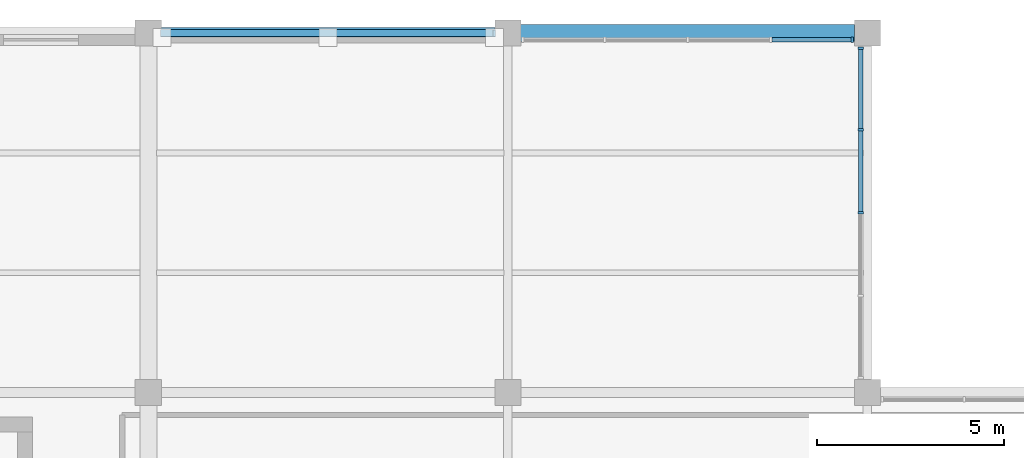
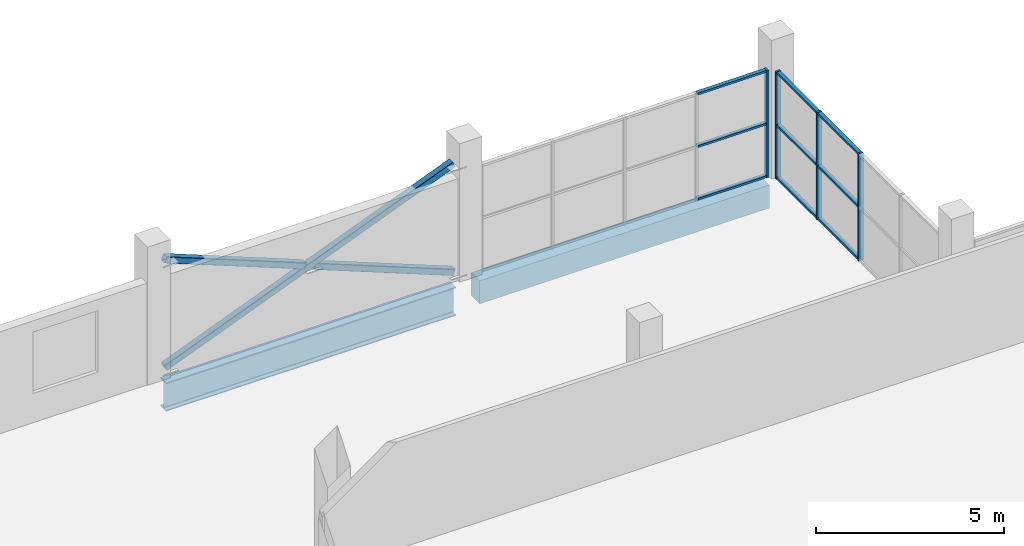
# One storey, part 35 of 75: 16 members, 2 beams, 2 elements without a shape of their own.
"""IFC4 building model written with IfcOpenShell, lengths in metres."""

from ifc_helpers import new_model, si_unit, direction, frame, origin, origin_2d, place, context, subcontext, project, spatial, rectangle, hollow_rectangle, i_section, extrude, material, layer, layer_set, material_profile, profile_set, type_object, element, aggregate, save


model = new_model("IFC4")

# Units and contexts
model_context = context("Model", 3, precision=1e-05, world=origin(), true_north=direction((0.0, 1.0)))
body_context = subcontext(model_context, "Body", "Model", "MODEL_VIEW")
ifc_project = project(units=[si_unit("LENGTHUNIT", "METRE"), si_unit("AREAUNIT", "SQUARE_METRE"), si_unit("VOLUMEUNIT", "CUBIC_METRE"), si_unit("PLANEANGLEUNIT", "RADIAN"), si_unit("MASSUNIT", "GRAM", prefix="KILO")], contexts=[model_context])

# Site, building, storey
site_placement = place(None, origin())
site = spatial("IfcSite", under=ifc_project, at=site_placement, CompositionType="ELEMENT")
building_placement = place(site_placement, origin())
building = spatial("IfcBuilding", under=site, at=building_placement, Name="Caelomonte Colonnade Arena", CompositionType="ELEMENT")
storey_placement = place(building_placement, frame((0.0, 0.0, 14.10009765625)))
storey = spatial("IfcBuildingStorey", under=building, at=storey_placement, Name="L03", CompositionType="ELEMENT", Elevation=14.10009765625)

# Curtain wall, members
ifc_material_1 = material(Name="Bronze anodised aluminium and low-E glazing", Category="aluminium")
ifc_layer = layer(ifc_material_1, 0.179931640625)
ifc_layer_set = layer_set([ifc_layer], Name="Bronze anodised aluminium and low-E glazing")
curtain_wall_type = type_object("IfcCurtainWallType", Name="ENV-CW-CW-L03-96-35", PredefinedType="USERDEFINED", material=ifc_layer_set)
curtain_wall_1_placement = place(storey_placement, origin())
curtain_wall_1 = element("IfcCurtainWall", 1, at=curtain_wall_1_placement, inside=storey, type_object=curtain_wall_type, Name="L03 unitized curtain wall CW-L03-1822-1392", ObjectType="UNITIZED CURTAIN WALL", PredefinedType="USERDEFINED")
ifc_material_2 = material(Name="Bronze anodised aluminium AA6063-T6", Category="aluminium")
ifc_material_profile_1 = material_profile(ifc_material_2, rectangle(XDim=0.06494140625, YDim=0.14990234375, at=origin_2d()), Name="CWM-65X150")
ifc_profile_set_1 = profile_set([ifc_material_profile_1], Name="Bronze anodised aluminium AA6063-T6")
member_type_1 = type_object("IfcMemberType", Name="ENV-CW-MULL2", PredefinedType="MULLION", material=ifc_profile_set_1)
member_1_placement = place(storey_placement, frame((182.219970703125, 139.199951171875, 0.0), z_axis=(0.0, 0.0, 1.0), x_axis=(0.0, 1.0, 0.0)))
member_1 = element("IfcMember", 2, at=member_1_placement, type_object=member_type_1, Name="CW-L03-96-35 mullion 3", PredefinedType="MULLION", context=body_context, shape_type="SweptSolid", body=[
    extrude(rectangle(XDim=0.06494140625, YDim=0.14990234375, at=origin_2d()), origin(), (0.0, 0.0, 1.0), 3.489990234375),
])
member_2_placement = place(storey_placement, frame((182.219970703125, 141.4150390625, 0.0), z_axis=(0.0, 0.0, 1.0), x_axis=(0.0, 1.0, 0.0)))
member_2 = element("IfcMember", 3, at=member_2_placement, type_object=member_type_1, Name="CW-L03-96-35 mullion 4", PredefinedType="MULLION", context=body_context, shape_type="SweptSolid", body=[
    extrude(rectangle(XDim=0.06494140625, YDim=0.14990234375, at=origin_2d()), origin(), (0.0, 0.0, 1.0), 3.489990234375),
])
member_3_placement = place(storey_placement, frame((182.219970703125, 143.597412109375, 0.0), z_axis=(0.0, 0.0, 1.0), x_axis=(0.0, 1.0, 0.0)))
member_3 = element("IfcMember", 4, at=member_3_placement, type_object=member_type_1, Name="CW-L03-96-35 mullion 5", PredefinedType="MULLION", context=body_context, shape_type="SweptSolid", body=[
    extrude(rectangle(XDim=0.06494140625, YDim=0.14990234375, at=origin_2d()), origin(), (0.0, 0.0, 1.0), 3.489990234375),
])

# Curtain wall, member
curtain_wall_2_placement = place(storey_placement, origin())
curtain_wall_2 = element("IfcCurtainWall", 5, at=curtain_wall_2_placement, inside=storey, type_object=curtain_wall_type, Name="L03 unitized curtain wall CW-L03-1776-1438", ObjectType="UNITIZED CURTAIN WALL", PredefinedType="USERDEFINED")
member_4_placement = place(storey_placement, frame((181.99755859375, 143.820068359375, 0.0), z_axis=(0.0, 0.0, 1.0), x_axis=(-1.0, 0.0, 0.0)))
member_4 = element("IfcMember", 6, at=member_4_placement, type_object=member_type_1, Name="CW-L03-96-35 mullion 1", PredefinedType="MULLION", context=body_context, shape_type="SweptSolid", body=[
    extrude(rectangle(XDim=0.06494140625, YDim=0.14990234375, at=origin_2d()), origin(), (0.0, 0.0, 1.0), 3.489990234375),
])

# Member
ifc_material_profile_2 = material_profile(ifc_material_2, rectangle(XDim=0.06494140625, YDim=0.1201171875, at=origin_2d()), Name="CWT-65X120")
ifc_profile_set_2 = profile_set([ifc_material_profile_2], Name="Bronze anodised aluminium AA6063-T6")
member_type_2 = type_object("IfcMemberType", Name="ENV-CW-TRAN2", PredefinedType="USERDEFINED", material=ifc_profile_set_2)
member_5_placement = place(storey_placement, frame((182.219970703125, 139.232421875, 0.032470703125), z_axis=(0.0, 1.0, 0.0), x_axis=(0.0, 0.0, 1.0)))
member_5 = element("IfcMember", 7, at=member_5_placement, type_object=member_type_2, Name="CW-L03-96-35 transom 3.1", ObjectType="TRANSOM", PredefinedType="USERDEFINED", context=body_context, shape_type="SweptSolid", body=[
    extrude(rectangle(XDim=0.06494140625, YDim=0.1201171875, at=origin_2d()), origin(), (0.0, 0.0, 1.0), 2.150146484375),
])

member_6_placement = place(storey_placement, frame((182.219970703125, 139.232421875, 1.744873046875), z_axis=(0.0, 1.0, 0.0), x_axis=(0.0, 0.0, 1.0)))
member_6 = element("IfcMember", 8, at=member_6_placement, type_object=member_type_2, Name="CW-L03-96-35 transom 3.2", ObjectType="TRANSOM", PredefinedType="USERDEFINED", context=body_context, shape_type="SweptSolid", body=[
    extrude(rectangle(XDim=0.06494140625, YDim=0.1201171875, at=origin_2d()), origin(), (0.0, 0.0, 1.0), 2.150146484375),
])

member_7_placement = place(storey_placement, frame((182.219970703125, 139.232421875, 3.45751953125), z_axis=(0.0, 1.0, 0.0), x_axis=(0.0, 0.0, 1.0)))
member_7 = element("IfcMember", 9, at=member_7_placement, type_object=member_type_2, Name="CW-L03-96-35 transom 3.3", ObjectType="TRANSOM", PredefinedType="USERDEFINED", context=body_context, shape_type="SweptSolid", body=[
    extrude(rectangle(XDim=0.06494140625, YDim=0.1201171875, at=origin_2d()), origin(), (0.0, 0.0, 1.0), 2.150146484375),
])

member_8_placement = place(storey_placement, frame((182.219970703125, 141.447509765625, 0.032470703125), z_axis=(0.0, 1.0, 0.0), x_axis=(0.0, 0.0, 1.0)))
member_8 = element("IfcMember", 10, at=member_8_placement, type_object=member_type_2, Name="CW-L03-96-35 transom 4.1", ObjectType="TRANSOM", PredefinedType="USERDEFINED", context=body_context, shape_type="SweptSolid", body=[
    extrude(rectangle(XDim=0.06494140625, YDim=0.1201171875, at=origin_2d()), origin(), (0.0, 0.0, 1.0), 2.117431640625),
])

member_9_placement = place(storey_placement, frame((182.219970703125, 141.447509765625, 1.744873046875), z_axis=(0.0, 1.0, 0.0), x_axis=(0.0, 0.0, 1.0)))
member_9 = element("IfcMember", 11, at=member_9_placement, type_object=member_type_2, Name="CW-L03-96-35 transom 4.2", ObjectType="TRANSOM", PredefinedType="USERDEFINED", context=body_context, shape_type="SweptSolid", body=[
    extrude(rectangle(XDim=0.06494140625, YDim=0.1201171875, at=origin_2d()), origin(), (0.0, 0.0, 1.0), 2.117431640625),
])

member_10_placement = place(storey_placement, frame((182.219970703125, 141.447509765625, 3.45751953125), z_axis=(0.0, 1.0, 0.0), x_axis=(0.0, 0.0, 1.0)))
member_10 = element("IfcMember", 12, at=member_10_placement, type_object=member_type_2, Name="CW-L03-96-35 transom 4.3", ObjectType="TRANSOM", PredefinedType="USERDEFINED", context=body_context, shape_type="SweptSolid", body=[
    extrude(rectangle(XDim=0.06494140625, YDim=0.1201171875, at=origin_2d()), origin(), (0.0, 0.0, 1.0), 2.117431640625),
])

aggregate(curtain_wall_1, [member_1, member_2, member_3, member_5, member_6, member_7, member_8, member_9, member_10])

member_11_placement = place(storey_placement, frame((181.965087890625, 143.820068359375, 0.032470703125), z_axis=(-1.0, 0.0, 0.0), x_axis=(0.0, 0.0, 1.0)))
member_11 = element("IfcMember", 13, at=member_11_placement, type_object=member_type_2, Name="CW-L03-96-35 transom 1.1", ObjectType="TRANSOM", PredefinedType="USERDEFINED", context=body_context, shape_type="SweptSolid", body=[
    extrude(rectangle(XDim=0.06494140625, YDim=0.1201171875, at=origin_2d()), origin(), (0.0, 0.0, 1.0), 2.11767578125),
])

member_12_placement = place(storey_placement, frame((181.965087890625, 143.820068359375, 1.744873046875), z_axis=(-1.0, 0.0, 0.0), x_axis=(0.0, 0.0, 1.0)))
member_12 = element("IfcMember", 14, at=member_12_placement, type_object=member_type_2, Name="CW-L03-96-35 transom 1.2", ObjectType="TRANSOM", PredefinedType="USERDEFINED", context=body_context, shape_type="SweptSolid", body=[
    extrude(rectangle(XDim=0.06494140625, YDim=0.1201171875, at=origin_2d()), origin(), (0.0, 0.0, 1.0), 2.11767578125),
])

member_13_placement = place(storey_placement, frame((181.965087890625, 143.820068359375, 3.45751953125), z_axis=(-1.0, 0.0, 0.0), x_axis=(0.0, 0.0, 1.0)))
member_13 = element("IfcMember", 15, at=member_13_placement, type_object=member_type_2, Name="CW-L03-96-35 transom 1.3", ObjectType="TRANSOM", PredefinedType="USERDEFINED", context=body_context, shape_type="SweptSolid", body=[
    extrude(rectangle(XDim=0.06494140625, YDim=0.1201171875, at=origin_2d()), origin(), (0.0, 0.0, 1.0), 2.11767578125),
])

aggregate(curtain_wall_2, [member_4, member_11, member_12, member_13])

# Members
ifc_material_3 = material(Name="Steel ASTM A500 Grade C", Category="steel")
ifc_material_profile_3 = material_profile(ifc_material_3, hollow_rectangle(XDim=0.203125, YDim=0.203125, WallThickness=0.009521484375, InnerFilletRadius=0.009521484375, OuterFilletRadius=0.01904296875, at=origin_2d()), Name="HSS203X203X9.5")
ifc_profile_set_3 = profile_set([ifc_material_profile_3], Name="Steel ASTM A500 Grade C")
member_type_3 = type_object("IfcMemberType", Name="STR-BF-DIAG3", PredefinedType="BRACE", material=ifc_profile_set_3)
member_14_placement = place(storey_placement, frame((163.563720703125, 144.0, 0.161376953125), z_axis=(0.929625953896, 0.0, 0.368504526218), x_axis=(0.0, 1.0, 0.0)))
element("IfcMember", 16, at=member_14_placement, inside=storey, type_object=member_type_3, Name="Braced frame BF3 L03 continuous diagonal A", PredefinedType="BRACE", context=body_context, shape_type="SweptSolid", body=[
    extrude(hollow_rectangle(XDim=0.203125, YDim=0.203125, WallThickness=0.009521484375, InnerFilletRadius=0.009521484375, OuterFilletRadius=0.01904296875, at=origin_2d()), origin(), (0.0, 0.0, 1.0), 9.544189453125),
])
for number, where, z_axis, x_axis, name in (
    (17, (172.436279296875, 144.0, 0.161376953125), (-0.929637675465, 0.0, 0.368474954856), (0.0, -1.0, 0.0), "Braced frame BF3 L03 split diagonal B1"),
    (18, (167.84765625, 144.0, 1.98046875), (-0.929637675465, 0.0, 0.368474954856), (0.0, -1.0, 0.0), "Braced frame BF3 L03 split diagonal B2"),
):
    element("IfcMember", number, at=place(storey_placement, frame(where, z_axis=z_axis, x_axis=x_axis)), inside=storey, type_object=member_type_3, Name=name, PredefinedType="BRACE", context=body_context, shape_type="SweptSolid", body=[
        extrude(hollow_rectangle(XDim=0.203125, YDim=0.203125, WallThickness=0.009521484375, InnerFilletRadius=0.009521484375, OuterFilletRadius=0.01904296875, at=origin_2d()), origin(), (0.0, 0.0, 1.0), 4.608154296875),
    ])

# Beams
ifc_material_4 = material(Name="Wide-flange steel ASTM A992 Grade 50", Category="steel")
ifc_material_profile_4 = material_profile(ifc_material_4, i_section(OverallWidth=0.307861328125, OverallDepth=0.927001953125, WebThickness=0.019287109375, FlangeThickness=0.031982421875, FilletRadius=0.020263671875, at=origin_2d()), Name="W36X194")
ifc_profile_set_4 = profile_set([ifc_material_profile_4], Name="Wide-flange steel ASTM A992 Grade 50")
beam_type_1 = type_object("IfcBeamType", Name="STR-BM-EAVES2", PredefinedType="SPANDREL", material=ifc_profile_set_4)
beam_1_placement = place(storey_placement, frame((163.5419921875, 144.0, -0.74365234375), z_axis=(1.0, 0.0, 0.0), x_axis=(0.0, 1.0, 0.0)))
element("IfcBeam", 19, at=beam_1_placement, inside=storey, type_object=beam_type_1, Name="L03 girder BMX-L03-1632-1440", PredefinedType="SPANDREL", context=body_context, shape_type="SweptSolid", body=[
    extrude(i_section(OverallWidth=0.307861328125, OverallDepth=0.927001953125, WebThickness=0.019287109375, FlangeThickness=0.031982421875, FilletRadius=0.020263671875, at=origin_2d()), origin(), (0.0, 0.0, 1.0), 8.916015625),
])
ifc_material_5 = material(Name="Concrete C40/50", Category="concrete")
ifc_material_profile_5 = material_profile(ifc_material_5, rectangle(XDim=0.449951171875, YDim=0.75, at=origin_2d()), Name="RC450X750")
ifc_profile_set_5 = profile_set([ifc_material_profile_5], Name="Concrete C40/50")
beam_type_2 = type_object("IfcBeamType", Name="STR-BM-SPAN24", PredefinedType="SPANDREL", material=ifc_profile_set_5)
beam_2_placement = place(storey_placement, frame((173.14208984375, 144.0, -0.655029296875), z_axis=(1.0, 0.0, 0.0), x_axis=(0.0, 1.0, 0.0)))
element("IfcBeam", 20, at=beam_2_placement, inside=storey, type_object=beam_type_2, Name="L03 girder BMX-L03-1728-1440", PredefinedType="SPANDREL", context=body_context, shape_type="SweptSolid", body=[
    extrude(rectangle(XDim=0.449951171875, YDim=0.75, at=origin_2d()), origin(), (0.0, 0.0, 1.0), 8.916015625),
])

save(model, "model.ifc")
